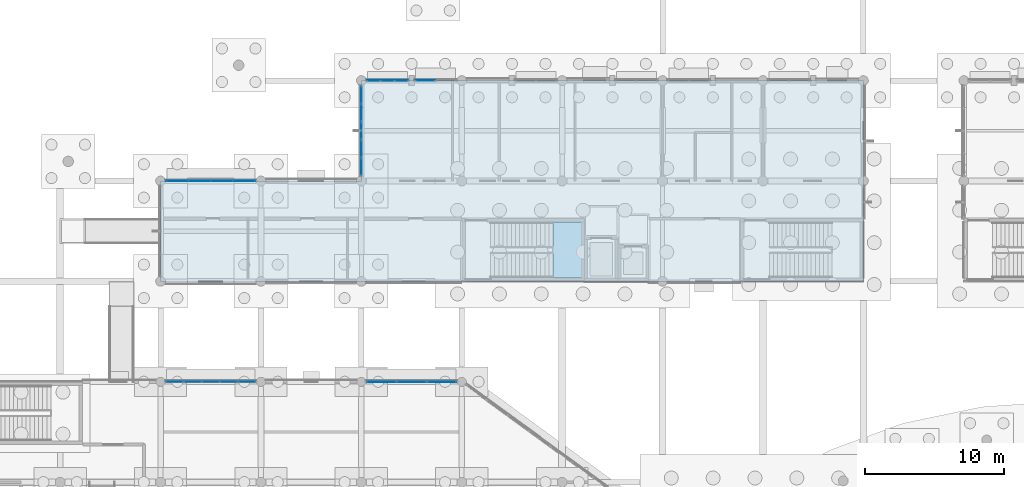
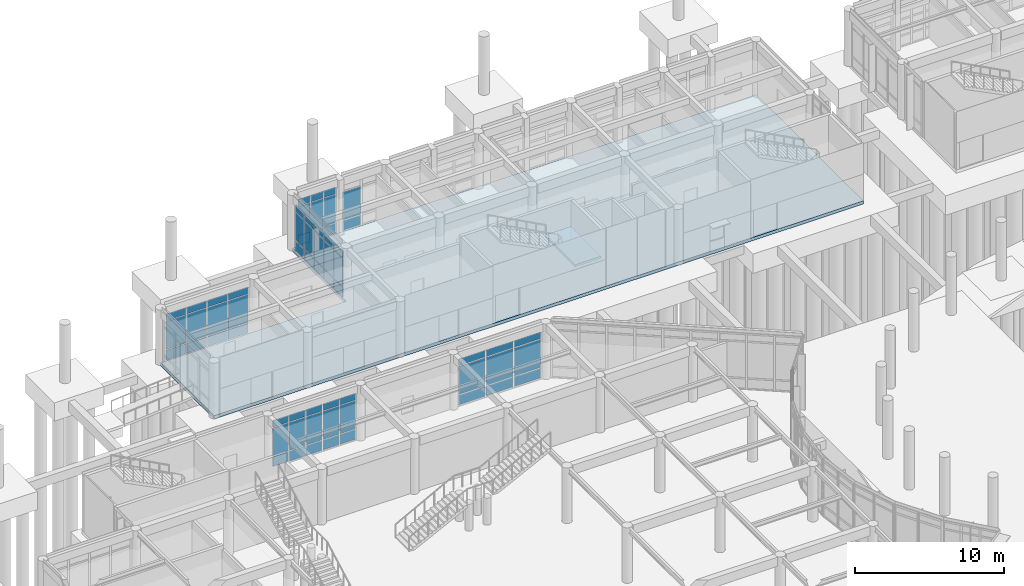
# One storey, part 47 of 103: 62 plates, 2 slabs, 7 elements without a shape of their own.
"""IFC4 building model written with IfcOpenShell, lengths in metres."""

from ifc_helpers import new_model, si_unit, direction, frame, origin, origin_2d, place, context, subcontext, project, spatial, polyline, rectangle, outline, extrude, material, layer, layer_set, type_object, element, aggregate, save


model = new_model("IFC4")

# Units and contexts
model_context = context("Model", 3, precision=1e-05, world=origin(), true_north=direction((0.0, 1.0)))
body_context = subcontext(model_context, "Body", "Model", "MODEL_VIEW")
ifc_project = project(units=[si_unit("LENGTHUNIT", "METRE"), si_unit("AREAUNIT", "SQUARE_METRE"), si_unit("VOLUMEUNIT", "CUBIC_METRE"), si_unit("PLANEANGLEUNIT", "RADIAN"), si_unit("MASSUNIT", "GRAM", prefix="KILO")], contexts=[model_context])

# Site, building, storey
site_placement = place(None, origin())
site = spatial("IfcSite", under=ifc_project, at=site_placement, CompositionType="ELEMENT")
building_placement = place(site_placement, origin())
building = spatial("IfcBuilding", under=site, at=building_placement, Name="Namkhue Oval Health Centre", CompositionType="ELEMENT")
storey_placement = place(building_placement, origin())
storey = spatial("IfcBuildingStorey", under=building, at=storey_placement, Name="L00", CompositionType="ELEMENT", Elevation=0.0)

# Curtain wall, plates
ifc_material_1 = material(Name="Anodised aluminium EN AW-6063 T6", Category="aluminium")
ifc_layer_1 = layer(ifc_material_1, 0.159912109375)
ifc_layer_set_1 = layer_set([ifc_layer_1], Name="Anodised aluminium EN AW-6063 T6")
curtain_wall_type_1 = type_object("IfcCurtainWallType", Name="UNITISED CURTAIN WALL M1200", PredefinedType="NOTDEFINED", material=ifc_layer_set_1)
curtain_wall_1_placement = place(storey_placement, origin())
curtain_wall_1 = element("IfcCurtainWall", 1, at=curtain_wall_1_placement, inside=storey, type_object=curtain_wall_type_1, Name="Volume V1 L00 Unitised Curtain Wall 13", PredefinedType="NOTDEFINED")
ifc_material_2 = material(Name="Thermally broken low-E laminated double glazing", Category="glass")
ifc_layer_2 = layer(ifc_material_2, 0.02587890625)
ifc_layer_set_2 = layer_set([ifc_layer_2], Name="Thermally broken low-E laminated double glazing")
plate_type_1 = type_object("IfcPlateType", Name="CURTAIN WALL GLAZED PANEL 26", PredefinedType="CURTAIN_PANEL", material=ifc_layer_set_2)
plate_1_placement = place(storey_placement, frame((42.19580078125, 82.800048828125, 0.06494140625), z_axis=(0.0, 0.0, 1.0), x_axis=(-1.0, 0.0, 0.0)))
plate_1 = element("IfcPlate", 2, at=plate_1_placement, type_object=plate_type_1, Name="CW-01 panel 1.1", PredefinedType="CURTAIN_PANEL", context=body_context, shape_type="SweptSolid", body=[
    extrude(rectangle(XDim=1.20849609375, YDim=0.02587890625, at=origin_2d()), origin(), (0.0, 0.0, 1.0), 0.802490234375),
])
plate_2_placement = place(storey_placement, frame((42.19580078125, 82.800048828125, 0.9326171875), z_axis=(0.0, 0.0, 1.0), x_axis=(-1.0, 0.0, 0.0)))
plate_2 = element("IfcPlate", 3, at=plate_2_placement, type_object=plate_type_1, Name="CW-01 panel 1.2", PredefinedType="CURTAIN_PANEL", context=body_context, shape_type="SweptSolid", body=[
    extrude(rectangle(XDim=1.20849609375, YDim=0.02587890625, at=origin_2d()), origin(), (0.0, 0.0, 1.0), 2.300048828125),
])
plate_3_placement = place(storey_placement, frame((42.19580078125, 82.800048828125, 3.29736328125), z_axis=(0.0, 0.0, 1.0), x_axis=(-1.0, 0.0, 0.0)))
plate_3 = element("IfcPlate", 4, at=plate_3_placement, type_object=plate_type_1, Name="CW-01 panel 1.3", PredefinedType="CURTAIN_PANEL", context=body_context, shape_type="SweptSolid", body=[
    extrude(rectangle(XDim=1.20849609375, YDim=0.02587890625, at=origin_2d()), origin(), (0.0, 0.0, 1.0), 0.552490234375),
])
plate_4_placement = place(storey_placement, frame((40.906005859375, 82.800048828125, 0.06494140625), z_axis=(0.0, 0.0, 1.0), x_axis=(-1.0, 0.0, 0.0)))
plate_4 = element("IfcPlate", 5, at=plate_4_placement, type_object=plate_type_1, Name="CW-01 panel 2.1", PredefinedType="CURTAIN_PANEL", context=body_context, shape_type="SweptSolid", body=[
    extrude(rectangle(XDim=1.240966796875, YDim=0.02587890625, at=origin_2d()), origin(), (0.0, 0.0, 1.0), 0.802490234375),
])
plate_5_placement = place(storey_placement, frame((40.906005859375, 82.800048828125, 0.9326171875), z_axis=(0.0, 0.0, 1.0), x_axis=(-1.0, 0.0, 0.0)))
plate_5 = element("IfcPlate", 6, at=plate_5_placement, type_object=plate_type_1, Name="CW-01 panel 2.2", PredefinedType="CURTAIN_PANEL", context=body_context, shape_type="SweptSolid", body=[
    extrude(rectangle(XDim=1.240966796875, YDim=0.02587890625, at=origin_2d()), origin(), (0.0, 0.0, 1.0), 2.300048828125),
])
plate_6_placement = place(storey_placement, frame((40.906005859375, 82.800048828125, 3.29736328125), z_axis=(0.0, 0.0, 1.0), x_axis=(-1.0, 0.0, 0.0)))
plate_6 = element("IfcPlate", 7, at=plate_6_placement, type_object=plate_type_1, Name="CW-01 panel 2.3", PredefinedType="CURTAIN_PANEL", context=body_context, shape_type="SweptSolid", body=[
    extrude(rectangle(XDim=1.240966796875, YDim=0.02587890625, at=origin_2d()), origin(), (0.0, 0.0, 1.0), 0.552490234375),
])
plate_7_placement = place(storey_placement, frame((39.60009765625, 82.800048828125, 0.06494140625), z_axis=(0.0, 0.0, 1.0), x_axis=(-1.0, 0.0, 0.0)))
plate_7 = element("IfcPlate", 8, at=plate_7_placement, type_object=plate_type_1, Name="CW-01 panel 3.1", PredefinedType="CURTAIN_PANEL", context=body_context, shape_type="SweptSolid", body=[
    extrude(rectangle(XDim=1.240966796875, YDim=0.02587890625, at=origin_2d()), origin(), (0.0, 0.0, 1.0), 0.802490234375),
])
plate_8_placement = place(storey_placement, frame((39.60009765625, 82.800048828125, 0.9326171875), z_axis=(0.0, 0.0, 1.0), x_axis=(-1.0, 0.0, 0.0)))
plate_8 = element("IfcPlate", 9, at=plate_8_placement, type_object=plate_type_1, Name="CW-01 panel 3.2", PredefinedType="CURTAIN_PANEL", context=body_context, shape_type="SweptSolid", body=[
    extrude(rectangle(XDim=1.240966796875, YDim=0.02587890625, at=origin_2d()), origin(), (0.0, 0.0, 1.0), 2.300048828125),
])
plate_9_placement = place(storey_placement, frame((39.60009765625, 82.800048828125, 3.29736328125), z_axis=(0.0, 0.0, 1.0), x_axis=(-1.0, 0.0, 0.0)))
plate_9 = element("IfcPlate", 10, at=plate_9_placement, type_object=plate_type_1, Name="CW-01 panel 3.3", PredefinedType="CURTAIN_PANEL", context=body_context, shape_type="SweptSolid", body=[
    extrude(rectangle(XDim=1.240966796875, YDim=0.02587890625, at=origin_2d()), origin(), (0.0, 0.0, 1.0), 0.552490234375),
])
plate_10_placement = place(storey_placement, frame((38.2939453125, 82.800048828125, 0.06494140625), z_axis=(0.0, 0.0, 1.0), x_axis=(-1.0, 0.0, 0.0)))
plate_10 = element("IfcPlate", 11, at=plate_10_placement, type_object=plate_type_1, Name="CW-01 panel 4.1", PredefinedType="CURTAIN_PANEL", context=body_context, shape_type="SweptSolid", body=[
    extrude(rectangle(XDim=1.240966796875, YDim=0.02587890625, at=origin_2d()), origin(), (0.0, 0.0, 1.0), 0.802490234375),
])
plate_11_placement = place(storey_placement, frame((38.2939453125, 82.800048828125, 0.9326171875), z_axis=(0.0, 0.0, 1.0), x_axis=(-1.0, 0.0, 0.0)))
plate_11 = element("IfcPlate", 12, at=plate_11_placement, type_object=plate_type_1, Name="CW-01 panel 4.2", PredefinedType="CURTAIN_PANEL", context=body_context, shape_type="SweptSolid", body=[
    extrude(rectangle(XDim=1.240966796875, YDim=0.02587890625, at=origin_2d()), origin(), (0.0, 0.0, 1.0), 2.300048828125),
])
plate_12_placement = place(storey_placement, frame((38.2939453125, 82.800048828125, 3.29736328125), z_axis=(0.0, 0.0, 1.0), x_axis=(-1.0, 0.0, 0.0)))
plate_12 = element("IfcPlate", 13, at=plate_12_placement, type_object=plate_type_1, Name="CW-01 panel 4.3", PredefinedType="CURTAIN_PANEL", context=body_context, shape_type="SweptSolid", body=[
    extrude(rectangle(XDim=1.240966796875, YDim=0.02587890625, at=origin_2d()), origin(), (0.0, 0.0, 1.0), 0.552490234375),
])
plate_13_placement = place(storey_placement, frame((37.004150390625, 82.800048828125, 0.06494140625), z_axis=(0.0, 0.0, 1.0), x_axis=(-1.0, 0.0, 0.0)))
plate_13 = element("IfcPlate", 14, at=plate_13_placement, type_object=plate_type_1, Name="CW-01 panel 5.1", PredefinedType="CURTAIN_PANEL", context=body_context, shape_type="SweptSolid", body=[
    extrude(rectangle(XDim=1.20849609375, YDim=0.02587890625, at=origin_2d()), origin(), (0.0, 0.0, 1.0), 0.802490234375),
])
plate_14_placement = place(storey_placement, frame((37.004150390625, 82.800048828125, 0.9326171875), z_axis=(0.0, 0.0, 1.0), x_axis=(-1.0, 0.0, 0.0)))
plate_14 = element("IfcPlate", 15, at=plate_14_placement, type_object=plate_type_1, Name="CW-01 panel 5.2", PredefinedType="CURTAIN_PANEL", context=body_context, shape_type="SweptSolid", body=[
    extrude(rectangle(XDim=1.20849609375, YDim=0.02587890625, at=origin_2d()), origin(), (0.0, 0.0, 1.0), 2.300048828125),
])
plate_15_placement = place(storey_placement, frame((37.004150390625, 82.800048828125, 3.29736328125), z_axis=(0.0, 0.0, 1.0), x_axis=(-1.0, 0.0, 0.0)))
plate_15 = element("IfcPlate", 16, at=plate_15_placement, type_object=plate_type_1, Name="CW-01 panel 5.3", PredefinedType="CURTAIN_PANEL", context=body_context, shape_type="SweptSolid", body=[
    extrude(rectangle(XDim=1.20849609375, YDim=0.02587890625, at=origin_2d()), origin(), (0.0, 0.0, 1.0), 0.552490234375),
])
aggregate(curtain_wall_1, [plate_1, plate_2, plate_3, plate_4, plate_5, plate_6, plate_7, plate_8, plate_9, plate_10, plate_11, plate_12, plate_13, plate_14, plate_15])

ifc_layer_3 = layer(ifc_material_1, 0.159912109375)
ifc_layer_set_3 = layer_set([ifc_layer_3], Name="Anodised aluminium EN AW-6063 T6")
curtain_wall_type_2 = type_object("IfcCurtainWallType", Name="UNITISED CURTAIN WALL M1500", PredefinedType="NOTDEFINED", material=ifc_layer_set_3)
curtain_wall_2_placement = place(storey_placement, origin())
curtain_wall_2 = element("IfcCurtainWall", 17, at=curtain_wall_2_placement, inside=storey, type_object=curtain_wall_type_2, Name="Volume V2 L00 Unitised Curtain Wall 45", PredefinedType="NOTDEFINED")
plate_16_placement = place(storey_placement, frame((42.013671875, 97.199951171875, 0.06494140625), z_axis=(0.0, 0.0, 1.0), x_axis=(-1.0, 0.0, 0.0)))
plate_16 = element("IfcPlate", 18, at=plate_16_placement, type_object=plate_type_1, Name="CW-03 panel 1.1", PredefinedType="CURTAIN_PANEL", context=body_context, shape_type="SweptSolid", body=[
    extrude(rectangle(XDim=1.5224609375, YDim=0.02587890625, at=origin_2d()), origin(), (0.0, 0.0, 1.0), 0.802490234375),
])
plate_17_placement = place(storey_placement, frame((42.013671875, 97.199951171875, 0.9326171875), z_axis=(0.0, 0.0, 1.0), x_axis=(-1.0, 0.0, 0.0)))
plate_17 = element("IfcPlate", 19, at=plate_17_placement, type_object=plate_type_1, Name="CW-03 panel 1.2", PredefinedType="CURTAIN_PANEL", context=body_context, shape_type="SweptSolid", body=[
    extrude(rectangle(XDim=1.5224609375, YDim=0.02587890625, at=origin_2d()), origin(), (0.0, 0.0, 1.0), 2.294921875),
])
plate_18_placement = place(storey_placement, frame((42.013671875, 97.199951171875, 3.29248046875), z_axis=(0.0, 0.0, 1.0), x_axis=(-1.0, 0.0, 0.0)))
plate_18 = element("IfcPlate", 20, at=plate_18_placement, type_object=plate_type_1, Name="CW-03 panel 1.3", PredefinedType="CURTAIN_PANEL", context=body_context, shape_type="SweptSolid", body=[
    extrude(rectangle(XDim=1.5224609375, YDim=0.02587890625, at=origin_2d()), origin(), (0.0, 0.0, 1.0), 0.552490234375),
])
plate_19_placement = place(storey_placement, frame((40.409912109375, 97.199951171875, 0.06494140625), z_axis=(0.0, 0.0, 1.0), x_axis=(-1.0, 0.0, 0.0)))
plate_19 = element("IfcPlate", 21, at=plate_19_placement, type_object=plate_type_1, Name="CW-03 panel 2.1", PredefinedType="CURTAIN_PANEL", context=body_context, shape_type="SweptSolid", body=[
    extrude(rectangle(XDim=1.554931640625, YDim=0.02587890625, at=origin_2d()), origin(), (0.0, 0.0, 1.0), 0.802490234375),
])
plate_20_placement = place(storey_placement, frame((40.409912109375, 97.199951171875, 0.9326171875), z_axis=(0.0, 0.0, 1.0), x_axis=(-1.0, 0.0, 0.0)))
plate_20 = element("IfcPlate", 22, at=plate_20_placement, type_object=plate_type_1, Name="CW-03 panel 2.2", PredefinedType="CURTAIN_PANEL", context=body_context, shape_type="SweptSolid", body=[
    extrude(rectangle(XDim=1.554931640625, YDim=0.02587890625, at=origin_2d()), origin(), (0.0, 0.0, 1.0), 2.294921875),
])
plate_21_placement = place(storey_placement, frame((40.409912109375, 97.199951171875, 3.29248046875), z_axis=(0.0, 0.0, 1.0), x_axis=(-1.0, 0.0, 0.0)))
plate_21 = element("IfcPlate", 23, at=plate_21_placement, type_object=plate_type_1, Name="CW-03 panel 2.3", PredefinedType="CURTAIN_PANEL", context=body_context, shape_type="SweptSolid", body=[
    extrude(rectangle(XDim=1.554931640625, YDim=0.02587890625, at=origin_2d()), origin(), (0.0, 0.0, 1.0), 0.552490234375),
])
plate_22_placement = place(storey_placement, frame((38.7900390625, 97.199951171875, 0.06494140625), z_axis=(0.0, 0.0, 1.0), x_axis=(-1.0, 0.0, 0.0)))
plate_22 = element("IfcPlate", 24, at=plate_22_placement, type_object=plate_type_1, Name="CW-03 panel 3.1", PredefinedType="CURTAIN_PANEL", context=body_context, shape_type="SweptSolid", body=[
    extrude(rectangle(XDim=1.554931640625, YDim=0.02587890625, at=origin_2d()), origin(), (0.0, 0.0, 1.0), 0.802490234375),
])
plate_23_placement = place(storey_placement, frame((38.7900390625, 97.199951171875, 0.9326171875), z_axis=(0.0, 0.0, 1.0), x_axis=(-1.0, 0.0, 0.0)))
plate_23 = element("IfcPlate", 25, at=plate_23_placement, type_object=plate_type_1, Name="CW-03 panel 3.2", PredefinedType="CURTAIN_PANEL", context=body_context, shape_type="SweptSolid", body=[
    extrude(rectangle(XDim=1.554931640625, YDim=0.02587890625, at=origin_2d()), origin(), (0.0, 0.0, 1.0), 2.294921875),
])
plate_24_placement = place(storey_placement, frame((38.7900390625, 97.199951171875, 3.29248046875), z_axis=(0.0, 0.0, 1.0), x_axis=(-1.0, 0.0, 0.0)))
plate_24 = element("IfcPlate", 26, at=plate_24_placement, type_object=plate_type_1, Name="CW-03 panel 3.3", PredefinedType="CURTAIN_PANEL", context=body_context, shape_type="SweptSolid", body=[
    extrude(rectangle(XDim=1.554931640625, YDim=0.02587890625, at=origin_2d()), origin(), (0.0, 0.0, 1.0), 0.552490234375),
])
plate_25_placement = place(storey_placement, frame((37.186279296875, 97.199951171875, 0.06494140625), z_axis=(0.0, 0.0, 1.0), x_axis=(-1.0, 0.0, 0.0)))
plate_25 = element("IfcPlate", 27, at=plate_25_placement, type_object=plate_type_1, Name="CW-03 panel 4.1", PredefinedType="CURTAIN_PANEL", context=body_context, shape_type="SweptSolid", body=[
    extrude(rectangle(XDim=1.5224609375, YDim=0.02587890625, at=origin_2d()), origin(), (0.0, 0.0, 1.0), 0.802490234375),
])
plate_26_placement = place(storey_placement, frame((37.186279296875, 97.199951171875, 0.9326171875), z_axis=(0.0, 0.0, 1.0), x_axis=(-1.0, 0.0, 0.0)))
plate_26 = element("IfcPlate", 28, at=plate_26_placement, type_object=plate_type_1, Name="CW-03 panel 4.2", PredefinedType="CURTAIN_PANEL", context=body_context, shape_type="SweptSolid", body=[
    extrude(rectangle(XDim=1.5224609375, YDim=0.02587890625, at=origin_2d()), origin(), (0.0, 0.0, 1.0), 2.294921875),
])
plate_27_placement = place(storey_placement, frame((37.186279296875, 97.199951171875, 3.29248046875), z_axis=(0.0, 0.0, 1.0), x_axis=(-1.0, 0.0, 0.0)))
plate_27 = element("IfcPlate", 29, at=plate_27_placement, type_object=plate_type_1, Name="CW-03 panel 4.3", PredefinedType="CURTAIN_PANEL", context=body_context, shape_type="SweptSolid", body=[
    extrude(rectangle(XDim=1.5224609375, YDim=0.02587890625, at=origin_2d()), origin(), (0.0, 0.0, 1.0), 0.552490234375),
])
aggregate(curtain_wall_2, [plate_16, plate_17, plate_18, plate_19, plate_20, plate_21, plate_22, plate_23, plate_24, plate_25, plate_26, plate_27])

ifc_layer_4 = layer(ifc_material_1, 0.159912109375)
ifc_layer_set_4 = layer_set([ifc_layer_4], Name="Anodised aluminium EN AW-6063 T6")
curtain_wall_type_3 = type_object("IfcCurtainWallType", Name="UNITISED CURTAIN WALL M2000", PredefinedType="NOTDEFINED", material=ifc_layer_set_4)
curtain_wall_3_placement = place(storey_placement, origin())
curtain_wall_3 = element("IfcCurtainWall", 30, at=curtain_wall_3_placement, inside=storey, type_object=curtain_wall_type_3, Name="Volume V2 L00 Unitised Curtain Wall 42", PredefinedType="NOTDEFINED")
ifc_layer_5 = layer(ifc_material_2, 0.028076171875)
ifc_layer_set_5 = layer_set([ifc_layer_5], Name="Thermally broken low-E laminated double glazing")
plate_type_2 = type_object("IfcPlateType", Name="CURTAIN WALL GLAZED PANEL 28", PredefinedType="CURTAIN_PANEL", material=ifc_layer_set_5)
plate_28_placement = place(storey_placement, frame((54.987060546875, 104.39990234375, 0.074951171875), z_axis=(0.0, 0.0, 1.0), x_axis=(-1.0, 0.0, 0.0)))
plate_28 = element("IfcPlate", 31, at=plate_28_placement, type_object=plate_type_2, Name="CW-06 panel 2.1", PredefinedType="CURTAIN_PANEL", context=body_context, shape_type="SweptSolid", body=[
    extrude(rectangle(XDim=1.402099609375, YDim=0.028076171875, at=origin_2d()), origin(), (0.0, 0.0, 1.0), 0.78759765625),
])
plate_29_placement = place(storey_placement, frame((54.987060546875, 104.39990234375, 0.9375), z_axis=(0.0, 0.0, 1.0), x_axis=(-1.0, 0.0, 0.0)))
plate_29 = element("IfcPlate", 32, at=plate_29_placement, type_object=plate_type_2, Name="CW-06 panel 2.2", PredefinedType="CURTAIN_PANEL", context=body_context, shape_type="SweptSolid", body=[
    extrude(rectangle(XDim=1.402099609375, YDim=0.028076171875, at=origin_2d()), origin(), (0.0, 0.0, 1.0), 2.284912109375),
])
aggregate(curtain_wall_3, [plate_28, plate_29])

curtain_wall_4_placement = place(storey_placement, origin())
curtain_wall_4 = element("IfcCurtainWall", 33, at=curtain_wall_4_placement, inside=storey, type_object=curtain_wall_type_1, Name="Volume V2 L00 Unitised Curtain Wall 43", PredefinedType="NOTDEFINED")
ifc_material_3 = material(Name="Insulated anodised aluminium spandrel panel", Category="aluminium")
ifc_layer_6 = layer(ifc_material_3, 0.031982421875)
ifc_layer_set_6 = layer_set([ifc_layer_6], Name="Insulated anodised aluminium spandrel panel")
plate_type_3 = type_object("IfcPlateType", Name="CURTAIN WALL SPANDREL PANEL 32", PredefinedType="CURTAIN_PANEL", material=ifc_layer_set_6)
plate_30_placement = place(storey_placement, frame((53.267822265625, 104.39990234375, 0.06494140625), z_axis=(0.0, 0.0, 1.0), x_axis=(-1.0, 0.0, 0.0)))
plate_30 = element("IfcPlate", 34, at=plate_30_placement, type_object=plate_type_3, Name="CW-01 panel 1.1", PredefinedType="CURTAIN_PANEL", context=body_context, shape_type="SweptSolid", body=[
    extrude(rectangle(XDim=0.912109375, YDim=0.031982421875, at=origin_2d()), origin(), (0.0, 0.0, 1.0), 0.802490234375),
])
plate_31_placement = place(storey_placement, frame((53.267822265625, 104.39990234375, 0.9326171875), z_axis=(0.0, 0.0, 1.0), x_axis=(-1.0, 0.0, 0.0)))
plate_31 = element("IfcPlate", 35, at=plate_31_placement, type_object=plate_type_3, Name="CW-01 panel 1.2", PredefinedType="CURTAIN_PANEL", context=body_context, shape_type="SweptSolid", body=[
    extrude(rectangle(XDim=0.912109375, YDim=0.031982421875, at=origin_2d()), origin(), (0.0, 0.0, 1.0), 2.294921875),
])
plate_32_placement = place(storey_placement, frame((53.267822265625, 104.39990234375, 3.29248046875), z_axis=(0.0, 0.0, 1.0), x_axis=(-1.0, 0.0, 0.0)))
plate_32 = element("IfcPlate", 36, at=plate_32_placement, type_object=plate_type_3, Name="CW-01 panel 1.3", PredefinedType="CURTAIN_PANEL", context=body_context, shape_type="SweptSolid", body=[
    extrude(rectangle(XDim=0.912109375, YDim=0.031982421875, at=origin_2d()), origin(), (0.0, 0.0, 1.0), 0.552490234375),
])
plate_33_placement = place(storey_placement, frame((52.2744140625, 104.39990234375, 0.06494140625), z_axis=(0.0, 0.0, 1.0), x_axis=(-1.0, 0.0, 0.0)))
plate_33 = element("IfcPlate", 37, at=plate_33_placement, type_object=plate_type_3, Name="CW-01 panel 2.1", PredefinedType="CURTAIN_PANEL", context=body_context, shape_type="SweptSolid", body=[
    extrude(rectangle(XDim=0.944580078125, YDim=0.031982421875, at=origin_2d()), origin(), (0.0, 0.0, 1.0), 0.802490234375),
])
plate_34_placement = place(storey_placement, frame((52.2744140625, 104.39990234375, 0.9326171875), z_axis=(0.0, 0.0, 1.0), x_axis=(-1.0, 0.0, 0.0)))
plate_34 = element("IfcPlate", 38, at=plate_34_placement, type_object=plate_type_3, Name="CW-01 panel 2.2", PredefinedType="CURTAIN_PANEL", context=body_context, shape_type="SweptSolid", body=[
    extrude(rectangle(XDim=0.944580078125, YDim=0.031982421875, at=origin_2d()), origin(), (0.0, 0.0, 1.0), 2.294921875),
])
plate_35_placement = place(storey_placement, frame((52.2744140625, 104.39990234375, 3.29248046875), z_axis=(0.0, 0.0, 1.0), x_axis=(-1.0, 0.0, 0.0)))
plate_35 = element("IfcPlate", 39, at=plate_35_placement, type_object=plate_type_3, Name="CW-01 panel 2.3", PredefinedType="CURTAIN_PANEL", context=body_context, shape_type="SweptSolid", body=[
    extrude(rectangle(XDim=0.944580078125, YDim=0.031982421875, at=origin_2d()), origin(), (0.0, 0.0, 1.0), 0.552490234375),
])
plate_36_placement = place(storey_placement, frame((51.281005859375, 104.39990234375, 0.06494140625), z_axis=(0.0, 0.0, 1.0), x_axis=(-1.0, 0.0, 0.0)))
plate_36 = element("IfcPlate", 40, at=plate_36_placement, type_object=plate_type_3, Name="CW-01 panel 3.1", PredefinedType="CURTAIN_PANEL", context=body_context, shape_type="SweptSolid", body=[
    extrude(rectangle(XDim=0.912109375, YDim=0.031982421875, at=origin_2d()), origin(), (0.0, 0.0, 1.0), 0.802490234375),
])
plate_37_placement = place(storey_placement, frame((51.281005859375, 104.39990234375, 0.9326171875), z_axis=(0.0, 0.0, 1.0), x_axis=(-1.0, 0.0, 0.0)))
plate_37 = element("IfcPlate", 41, at=plate_37_placement, type_object=plate_type_3, Name="CW-01 panel 3.2", PredefinedType="CURTAIN_PANEL", context=body_context, shape_type="SweptSolid", body=[
    extrude(rectangle(XDim=0.912109375, YDim=0.031982421875, at=origin_2d()), origin(), (0.0, 0.0, 1.0), 2.294921875),
])
plate_38_placement = place(storey_placement, frame((51.281005859375, 104.39990234375, 3.29248046875), z_axis=(0.0, 0.0, 1.0), x_axis=(-1.0, 0.0, 0.0)))
plate_38 = element("IfcPlate", 42, at=plate_38_placement, type_object=plate_type_3, Name="CW-01 panel 3.3", PredefinedType="CURTAIN_PANEL", context=body_context, shape_type="SweptSolid", body=[
    extrude(rectangle(XDim=0.912109375, YDim=0.031982421875, at=origin_2d()), origin(), (0.0, 0.0, 1.0), 0.552490234375),
])
aggregate(curtain_wall_4, [plate_30, plate_31, plate_32, plate_33, plate_34, plate_35, plate_36, plate_37, plate_38])

curtain_wall_5_placement = place(storey_placement, origin())
curtain_wall_5 = element("IfcCurtainWall", 43, at=curtain_wall_5_placement, inside=storey, type_object=curtain_wall_type_3, Name="Volume V1 L00 Unitised Curtain Wall 12", PredefinedType="NOTDEFINED")
ifc_layer_7 = layer(ifc_material_3, 0.035888671875)
ifc_layer_set_7 = layer_set([ifc_layer_7], Name="Insulated anodised aluminium spandrel panel")
plate_type_4 = type_object("IfcPlateType", Name="CURTAIN WALL SPANDREL PANEL 36", PredefinedType="CURTAIN_PANEL", material=ifc_layer_set_7)
plate_39_placement = place(storey_placement, frame((56.157958984375, 82.800048828125, 0.074951171875), z_axis=(0.0, 0.0, 1.0), x_axis=(-1.0, 0.0, 0.0)))
plate_39 = element("IfcPlate", 44, at=plate_39_placement, type_object=plate_type_4, Name="CW-06 panel 1.1", PredefinedType="CURTAIN_PANEL", context=body_context, shape_type="SweptSolid", body=[
    extrude(rectangle(XDim=2.064208984375, YDim=0.035888671875, at=origin_2d()), origin(), (0.0, 0.0, 1.0), 0.78759765625),
])
plate_40_placement = place(storey_placement, frame((56.157958984375, 82.800048828125, 0.9375), z_axis=(0.0, 0.0, 1.0), x_axis=(-1.0, 0.0, 0.0)))
plate_40 = element("IfcPlate", 45, at=plate_40_placement, type_object=plate_type_4, Name="CW-06 panel 1.2", PredefinedType="CURTAIN_PANEL", context=body_context, shape_type="SweptSolid", body=[
    extrude(rectangle(XDim=2.064208984375, YDim=0.035888671875, at=origin_2d()), origin(), (0.0, 0.0, 1.0), 2.2900390625),
])
plate_41_placement = place(storey_placement, frame((56.157958984375, 82.800048828125, 3.302490234375), z_axis=(0.0, 0.0, 1.0), x_axis=(-1.0, 0.0, 0.0)))
plate_41 = element("IfcPlate", 46, at=plate_41_placement, type_object=plate_type_4, Name="CW-06 panel 1.3", PredefinedType="CURTAIN_PANEL", context=body_context, shape_type="SweptSolid", body=[
    extrude(rectangle(XDim=2.064208984375, YDim=0.035888671875, at=origin_2d()), origin(), (0.0, 0.0, 1.0), 0.53759765625),
])
plate_42_placement = place(storey_placement, frame((54.0, 82.800048828125, 0.074951171875), z_axis=(0.0, 0.0, 1.0), x_axis=(-1.0, 0.0, 0.0)))
plate_42 = element("IfcPlate", 47, at=plate_42_placement, type_object=plate_type_4, Name="CW-06 panel 2.1", PredefinedType="CURTAIN_PANEL", context=body_context, shape_type="SweptSolid", body=[
    extrude(rectangle(XDim=2.1015625, YDim=0.035888671875, at=origin_2d()), origin(), (0.0, 0.0, 1.0), 0.78759765625),
])
plate_43_placement = place(storey_placement, frame((54.0, 82.800048828125, 0.9375), z_axis=(0.0, 0.0, 1.0), x_axis=(-1.0, 0.0, 0.0)))
plate_43 = element("IfcPlate", 48, at=plate_43_placement, type_object=plate_type_4, Name="CW-06 panel 2.2", PredefinedType="CURTAIN_PANEL", context=body_context, shape_type="SweptSolid", body=[
    extrude(rectangle(XDim=2.1015625, YDim=0.035888671875, at=origin_2d()), origin(), (0.0, 0.0, 1.0), 2.2900390625),
])
plate_44_placement = place(storey_placement, frame((54.0, 82.800048828125, 3.302490234375), z_axis=(0.0, 0.0, 1.0), x_axis=(-1.0, 0.0, 0.0)))
plate_44 = element("IfcPlate", 49, at=plate_44_placement, type_object=plate_type_4, Name="CW-06 panel 2.3", PredefinedType="CURTAIN_PANEL", context=body_context, shape_type="SweptSolid", body=[
    extrude(rectangle(XDim=2.1015625, YDim=0.035888671875, at=origin_2d()), origin(), (0.0, 0.0, 1.0), 0.53759765625),
])
plate_45_placement = place(storey_placement, frame((51.842041015625, 82.800048828125, 0.074951171875), z_axis=(0.0, 0.0, 1.0), x_axis=(-1.0, 0.0, 0.0)))
plate_45 = element("IfcPlate", 50, at=plate_45_placement, type_object=plate_type_4, Name="CW-06 panel 3.1", PredefinedType="CURTAIN_PANEL", context=body_context, shape_type="SweptSolid", body=[
    extrude(rectangle(XDim=2.064208984375, YDim=0.035888671875, at=origin_2d()), origin(), (0.0, 0.0, 1.0), 0.78759765625),
])
plate_46_placement = place(storey_placement, frame((51.842041015625, 82.800048828125, 0.9375), z_axis=(0.0, 0.0, 1.0), x_axis=(-1.0, 0.0, 0.0)))
plate_46 = element("IfcPlate", 51, at=plate_46_placement, type_object=plate_type_4, Name="CW-06 panel 3.2", PredefinedType="CURTAIN_PANEL", context=body_context, shape_type="SweptSolid", body=[
    extrude(rectangle(XDim=2.064208984375, YDim=0.035888671875, at=origin_2d()), origin(), (0.0, 0.0, 1.0), 2.2900390625),
])
plate_47_placement = place(storey_placement, frame((51.842041015625, 82.800048828125, 3.302490234375), z_axis=(0.0, 0.0, 1.0), x_axis=(-1.0, 0.0, 0.0)))
plate_47 = element("IfcPlate", 52, at=plate_47_placement, type_object=plate_type_4, Name="CW-06 panel 3.3", PredefinedType="CURTAIN_PANEL", context=body_context, shape_type="SweptSolid", body=[
    extrude(rectangle(XDim=2.064208984375, YDim=0.035888671875, at=origin_2d()), origin(), (0.0, 0.0, 1.0), 0.53759765625),
])
aggregate(curtain_wall_5, [plate_39, plate_40, plate_41, plate_42, plate_43, plate_44, plate_45, plate_46, plate_47])

ifc_layer_8 = layer(ifc_material_1, 0.159912109375)
ifc_layer_set_8 = layer_set([ifc_layer_8], Name="Anodised aluminium EN AW-6063 T6")
curtain_wall_type_4 = type_object("IfcCurtainWallType", Name="UNITISED CURTAIN WALL M1350", PredefinedType="NOTDEFINED", material=ifc_layer_set_8)
curtain_wall_6_placement = place(storey_placement, origin())
curtain_wall_6 = element("IfcCurtainWall", 53, at=curtain_wall_6_placement, inside=storey, type_object=curtain_wall_type_4, Name="Volume V2 L00 Unitised Curtain Wall 44", PredefinedType="NOTDEFINED")
plate_48_placement = place(storey_placement, frame((50.39990234375, 103.373291015625, 0.074951171875), z_axis=(0.0, 0.0, 1.0), x_axis=(0.0, -1.0, 0.0)))
plate_48 = element("IfcPlate", 54, at=plate_48_placement, type_object=plate_type_4, Name="CW-02 panel 1.1", PredefinedType="CURTAIN_PANEL", context=body_context, shape_type="SweptSolid", body=[
    extrude(rectangle(XDim=1.18359375, YDim=0.035888671875, at=origin_2d()), origin(), (0.0, 0.0, 1.0), 0.78759765625),
])
plate_49_placement = place(storey_placement, frame((50.39990234375, 103.373291015625, 0.9375), z_axis=(0.0, 0.0, 1.0), x_axis=(0.0, -1.0, 0.0)))
plate_49 = element("IfcPlate", 55, at=plate_49_placement, type_object=plate_type_4, Name="CW-02 panel 1.2", PredefinedType="CURTAIN_PANEL", context=body_context, shape_type="SweptSolid", body=[
    extrude(rectangle(XDim=1.18359375, YDim=0.035888671875, at=origin_2d()), origin(), (0.0, 0.0, 1.0), 2.284912109375),
])
plate_50_placement = place(storey_placement, frame((50.39990234375, 103.373291015625, 3.29736328125), z_axis=(0.0, 0.0, 1.0), x_axis=(0.0, -1.0, 0.0)))
plate_50 = element("IfcPlate", 56, at=plate_50_placement, type_object=plate_type_4, Name="CW-02 panel 1.3", PredefinedType="CURTAIN_PANEL", context=body_context, shape_type="SweptSolid", body=[
    extrude(rectangle(XDim=1.18359375, YDim=0.035888671875, at=origin_2d()), origin(), (0.0, 0.0, 1.0), 0.53759765625),
])
plate_51_placement = place(storey_placement, frame((50.39990234375, 102.095947265625, 0.074951171875), z_axis=(0.0, 0.0, 1.0), x_axis=(0.0, -1.0, 0.0)))
plate_51 = element("IfcPlate", 57, at=plate_51_placement, type_object=plate_type_4, Name="CW-02 panel 2.1", PredefinedType="CURTAIN_PANEL", context=body_context, shape_type="SweptSolid", body=[
    extrude(rectangle(XDim=1.220947265625, YDim=0.035888671875, at=origin_2d()), origin(), (0.0, 0.0, 1.0), 0.78759765625),
])
plate_52_placement = place(storey_placement, frame((50.39990234375, 102.095947265625, 0.9375), z_axis=(0.0, 0.0, 1.0), x_axis=(0.0, -1.0, 0.0)))
plate_52 = element("IfcPlate", 58, at=plate_52_placement, type_object=plate_type_4, Name="CW-02 panel 2.2", PredefinedType="CURTAIN_PANEL", context=body_context, shape_type="SweptSolid", body=[
    extrude(rectangle(XDim=1.220947265625, YDim=0.035888671875, at=origin_2d()), origin(), (0.0, 0.0, 1.0), 2.284912109375),
])
plate_53_placement = place(storey_placement, frame((50.39990234375, 102.095947265625, 3.29736328125), z_axis=(0.0, 0.0, 1.0), x_axis=(0.0, -1.0, 0.0)))
plate_53 = element("IfcPlate", 59, at=plate_53_placement, type_object=plate_type_4, Name="CW-02 panel 2.3", PredefinedType="CURTAIN_PANEL", context=body_context, shape_type="SweptSolid", body=[
    extrude(rectangle(XDim=1.220947265625, YDim=0.035888671875, at=origin_2d()), origin(), (0.0, 0.0, 1.0), 0.53759765625),
])
plate_54_placement = place(storey_placement, frame((50.39990234375, 100.800048828125, 0.074951171875), z_axis=(0.0, 0.0, 1.0), x_axis=(0.0, -1.0, 0.0)))
plate_54 = element("IfcPlate", 60, at=plate_54_placement, type_object=plate_type_4, Name="CW-02 panel 3.1", PredefinedType="CURTAIN_PANEL", context=body_context, shape_type="SweptSolid", body=[
    extrude(rectangle(XDim=1.220947265625, YDim=0.035888671875, at=origin_2d()), origin(), (0.0, 0.0, 1.0), 0.78759765625),
])
plate_55_placement = place(storey_placement, frame((50.39990234375, 100.800048828125, 0.9375), z_axis=(0.0, 0.0, 1.0), x_axis=(0.0, -1.0, 0.0)))
plate_55 = element("IfcPlate", 61, at=plate_55_placement, type_object=plate_type_4, Name="CW-02 panel 3.2", PredefinedType="CURTAIN_PANEL", context=body_context, shape_type="SweptSolid", body=[
    extrude(rectangle(XDim=1.220947265625, YDim=0.035888671875, at=origin_2d()), origin(), (0.0, 0.0, 1.0), 2.284912109375),
])
plate_56_placement = place(storey_placement, frame((50.39990234375, 100.800048828125, 3.29736328125), z_axis=(0.0, 0.0, 1.0), x_axis=(0.0, -1.0, 0.0)))
plate_56 = element("IfcPlate", 62, at=plate_56_placement, type_object=plate_type_4, Name="CW-02 panel 3.3", PredefinedType="CURTAIN_PANEL", context=body_context, shape_type="SweptSolid", body=[
    extrude(rectangle(XDim=1.220947265625, YDim=0.035888671875, at=origin_2d()), origin(), (0.0, 0.0, 1.0), 0.53759765625),
])
plate_57_placement = place(storey_placement, frame((50.39990234375, 99.50390625, 0.074951171875), z_axis=(0.0, 0.0, 1.0), x_axis=(0.0, -1.0, 0.0)))
plate_57 = element("IfcPlate", 63, at=plate_57_placement, type_object=plate_type_4, Name="CW-02 panel 4.1", PredefinedType="CURTAIN_PANEL", context=body_context, shape_type="SweptSolid", body=[
    extrude(rectangle(XDim=1.220947265625, YDim=0.035888671875, at=origin_2d()), origin(), (0.0, 0.0, 1.0), 0.78759765625),
])
plate_58_placement = place(storey_placement, frame((50.39990234375, 99.50390625, 0.9375), z_axis=(0.0, 0.0, 1.0), x_axis=(0.0, -1.0, 0.0)))
plate_58 = element("IfcPlate", 64, at=plate_58_placement, type_object=plate_type_4, Name="CW-02 panel 4.2", PredefinedType="CURTAIN_PANEL", context=body_context, shape_type="SweptSolid", body=[
    extrude(rectangle(XDim=1.220947265625, YDim=0.035888671875, at=origin_2d()), origin(), (0.0, 0.0, 1.0), 2.284912109375),
])
plate_59_placement = place(storey_placement, frame((50.39990234375, 99.50390625, 3.29736328125), z_axis=(0.0, 0.0, 1.0), x_axis=(0.0, -1.0, 0.0)))
plate_59 = element("IfcPlate", 65, at=plate_59_placement, type_object=plate_type_4, Name="CW-02 panel 4.3", PredefinedType="CURTAIN_PANEL", context=body_context, shape_type="SweptSolid", body=[
    extrude(rectangle(XDim=1.220947265625, YDim=0.035888671875, at=origin_2d()), origin(), (0.0, 0.0, 1.0), 0.53759765625),
])
plate_60_placement = place(storey_placement, frame((50.39990234375, 98.226806640625, 0.074951171875), z_axis=(0.0, 0.0, 1.0), x_axis=(0.0, -1.0, 0.0)))
plate_60 = element("IfcPlate", 66, at=plate_60_placement, type_object=plate_type_4, Name="CW-02 panel 5.1", PredefinedType="CURTAIN_PANEL", context=body_context, shape_type="SweptSolid", body=[
    extrude(rectangle(XDim=1.18359375, YDim=0.035888671875, at=origin_2d()), origin(), (0.0, 0.0, 1.0), 0.78759765625),
])
plate_61_placement = place(storey_placement, frame((50.39990234375, 98.226806640625, 0.9375), z_axis=(0.0, 0.0, 1.0), x_axis=(0.0, -1.0, 0.0)))
plate_61 = element("IfcPlate", 67, at=plate_61_placement, type_object=plate_type_4, Name="CW-02 panel 5.2", PredefinedType="CURTAIN_PANEL", context=body_context, shape_type="SweptSolid", body=[
    extrude(rectangle(XDim=1.18359375, YDim=0.035888671875, at=origin_2d()), origin(), (0.0, 0.0, 1.0), 2.284912109375),
])
plate_62_placement = place(storey_placement, frame((50.39990234375, 98.226806640625, 3.29736328125), z_axis=(0.0, 0.0, 1.0), x_axis=(0.0, -1.0, 0.0)))
plate_62 = element("IfcPlate", 68, at=plate_62_placement, type_object=plate_type_4, Name="CW-02 panel 5.3", PredefinedType="CURTAIN_PANEL", context=body_context, shape_type="SweptSolid", body=[
    extrude(rectangle(XDim=1.18359375, YDim=0.035888671875, at=origin_2d()), origin(), (0.0, 0.0, 1.0), 0.53759765625),
])
aggregate(curtain_wall_6, [plate_48, plate_49, plate_50, plate_51, plate_52, plate_53, plate_54, plate_55, plate_56, plate_57, plate_58, plate_59, plate_60, plate_61, plate_62])

# Slab
ifc_material_4 = material(Name="Reinforced concrete C30/37 (TCVN B35)", Category="concrete")
ifc_layer_9 = layer(ifc_material_4, 0.260009765625)
ifc_layer_set_9 = layer_set([ifc_layer_9], Name="Reinforced concrete C30/37 (TCVN B35)")
slab_type_1 = type_object("IfcSlabType", Name="GROUND BASE SLAB 260", PredefinedType="BASESLAB", material=ifc_layer_set_9)
slab_1_placement = place(storey_placement, frame((0.0, 0.0, -0.260009765625)))
element("IfcSlab", 69, at=slab_1_placement, inside=storey, type_object=slab_type_1, Name="Volume V2 L00 Ground Base Slab", PredefinedType="BASESLAB", context=body_context, shape_type="SweptSolid", body=[
    extrude(outline(polyline([(36.0, 90.0), (86.39990234375, 90.0), (86.39990234375, 104.39990234375), (50.39990234375, 104.39990234375), (50.39990234375, 97.199951171875), (36.0, 97.199951171875), (36.0, 90.0)])), origin(), (0.0, 0.0, 1.0), 0.260009765625),
])

# Stair, slab
stair_type = type_object("IfcStairType", Name="DOGLEG EXIT STAIR H4800", PredefinedType="HALF_TURN_STAIR", material=ifc_material_4)
stair_placement = place(storey_placement, origin())
stair = element("IfcStair", 70, at=stair_placement, inside=storey, type_object=stair_type, Name="Protected Exit Stair ST-03 L00", PredefinedType="HALF_TURN_STAIR")
ifc_layer_10 = layer(ifc_material_4, 0.179931640625)
ifc_layer_set_10 = layer_set([ifc_layer_10], Name="Reinforced concrete C30/37 (TCVN B35)")
slab_type_2 = type_object("IfcSlabType", Name="STAIR LANDING SLAB 180", PredefinedType="LANDING", material=ifc_layer_set_10)
slab_2_placement = place(storey_placement, frame((0.0, 0.0, 2.219970703125)))
slab_2 = element("IfcSlab", 71, at=slab_2_placement, type_object=slab_type_2, Name="ST-03 landing 1", PredefinedType="LANDING", context=body_context, shape_type="SweptSolid", body=[
    extrude(outline(polyline([(64.14501953125, 90.22509765625), (66.175048828125, 90.22509765625), (66.175048828125, 94.27490234375), (64.14501953125, 94.27490234375), (64.14501953125, 90.22509765625)])), origin(), (0.0, 0.0, 1.0), 0.179931640625),
])
aggregate(stair, [slab_2])

save(model, "model.ifc")
